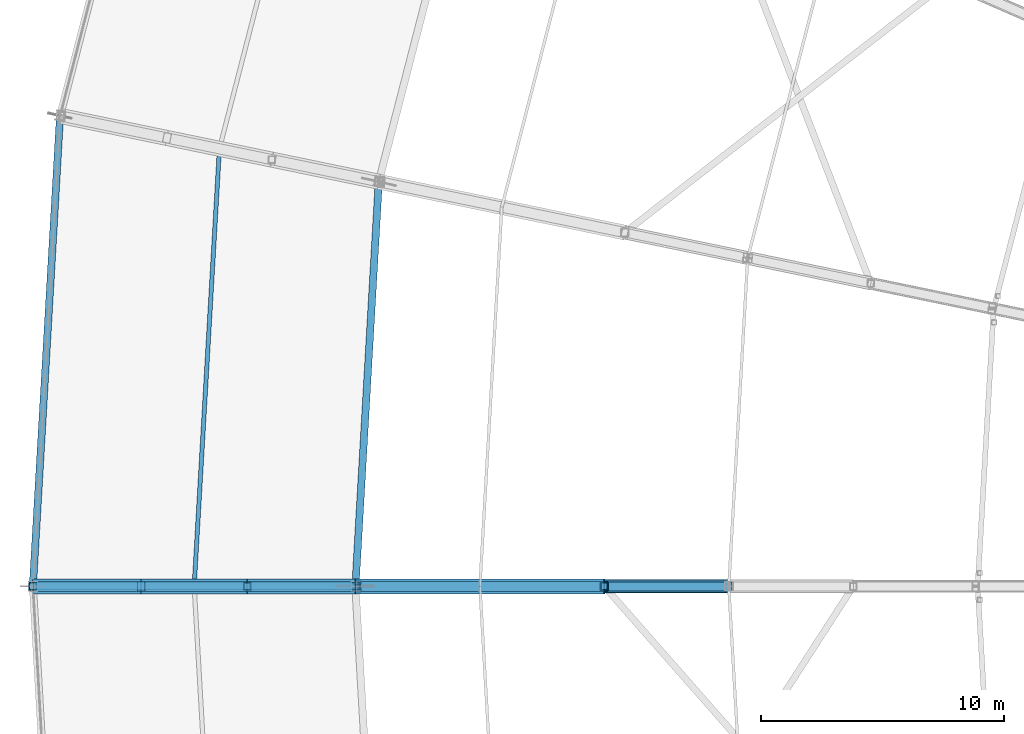
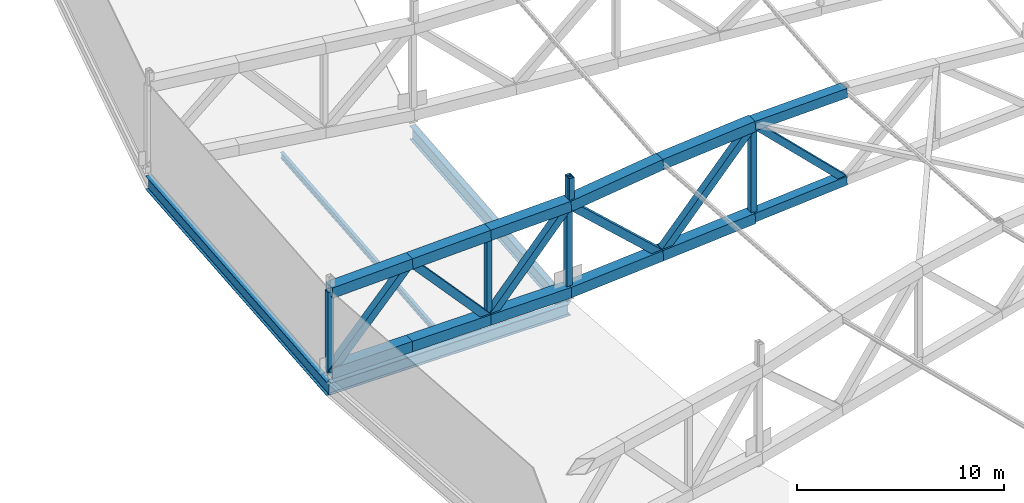
# One storey, part 38 of 162: 24 members, 4 beams.
"""IFC4 building model written with IfcOpenShell, lengths in metres."""

from ifc_helpers import new_model, si_unit, direction, frame, origin, origin_2d, place, context, subcontext, project, spatial, hollow_rectangle, i_section, extrude, material, material_profile, profile_set, type_object, element, save


model = new_model("IFC4")

# Units and contexts
model_context = context("Model", 3, precision=1e-05, world=origin(), true_north=direction((0.0, 1.0)))
body_context = subcontext(model_context, "Body", "Model", "MODEL_VIEW")
ifc_project = project(units=[si_unit("LENGTHUNIT", "METRE"), si_unit("AREAUNIT", "SQUARE_METRE"), si_unit("VOLUMEUNIT", "CUBIC_METRE"), si_unit("PLANEANGLEUNIT", "RADIAN"), si_unit("MASSUNIT", "GRAM", prefix="KILO")], contexts=[model_context])

# Site, building, storey
site_placement = place(None, origin())
site = spatial("IfcSite", under=ifc_project, at=site_placement, CompositionType="ELEMENT")
building_placement = place(site_placement, origin())
building = spatial("IfcBuilding", under=site, at=building_placement, Name="Kazemori Nagisa Stadium", CompositionType="ELEMENT")
storey_placement = place(building_placement, frame((0.0, 0.0, 36.719970703125)))
storey = spatial("IfcBuildingStorey", under=building, at=storey_placement, Name="RF", CompositionType="ELEMENT", Elevation=36.719970703125)

# Beams
ifc_material_1 = material(Name="Steel SN490B", Category="steel")
ifc_material_profile_1 = material_profile(ifc_material_1, i_section(OverallWidth=0.300048828125, OverallDepth=0.699951171875, WebThickness=0.012939453125, FlangeThickness=0.02392578125, FilletRadius=0.01806640625, at=origin_2d()), Name="H-700x300x13x24")
ifc_profile_set_1 = profile_set([ifc_material_profile_1], Name="Steel SN490B")
beam_type_1 = type_object("IfcBeamType", Name="Beam_BG-H700", PredefinedType="BEAM", material=ifc_profile_set_1)
beam_1_placement = place(storey_placement, frame((41.300048828125, 102.0, -0.6298828125), z_axis=(-1.0, 0.0, 0.0), x_axis=(0.0, -1.0, 0.0)))
element("IfcBeam", 1, at=beam_1_placement, inside=storey, type_object=beam_type_1, Name="Radial girder BG-H700 RF R2-R3-15", PredefinedType="BEAM", context=body_context, shape_type="SweptSolid", body=[
    extrude(i_section(OverallWidth=0.300048828125, OverallDepth=0.699951171875, WebThickness=0.012939453125, FlangeThickness=0.02392578125, FilletRadius=0.01806640625, at=origin_2d()), origin(), (0.0, 0.0, 1.0), 13.300048828125),
])
ifc_material_profile_2 = material_profile(ifc_material_1, i_section(OverallWidth=0.300048828125, OverallDepth=0.800048828125, WebThickness=0.013916015625, FlangeThickness=0.02587890625, FilletRadius=0.01806640625, at=origin_2d()), Name="H-800x300x14x26")
ifc_profile_set_2 = profile_set([ifc_material_profile_2], Name="Steel SN490B")
beam_type_2 = type_object("IfcBeamType", Name="Beam_BG-H800", PredefinedType="BEAM", material=ifc_profile_set_2)
beam_2_placement = place(storey_placement, frame((42.262451171875, 118.68212890625, -0.679931640625), z_axis=(-0.057594854854, -0.998340038611, 0.0), x_axis=(0.998340038611, -0.057594854854, 0.0)))
element("IfcBeam", 2, at=beam_2_placement, inside=storey, type_object=beam_type_2, Name="Ring girder BG-H800 RF R2-14", PredefinedType="BEAM", context=body_context, shape_type="SweptSolid", body=[
    extrude(i_section(OverallWidth=0.300048828125, OverallDepth=0.800048828125, WebThickness=0.013916015625, FlangeThickness=0.02587890625, FilletRadius=0.01806640625, at=origin_2d()), origin(), (0.0, 0.0, 1.0), 16.7099609375),
])
beam_3_placement = place(storey_placement, frame((29.119140625, 121.397705078125, -0.679931640625), z_axis=(-0.057598702622, -0.998339816624, 0.0), x_axis=(0.998339816624, -0.057598702622, 0.0)))
element("IfcBeam", 3, at=beam_3_placement, inside=storey, type_object=beam_type_2, Name="Roof compression ring beam BG-H800 R3-14", PredefinedType="BEAM", context=body_context, shape_type="SweptSolid", body=[
    extrude(i_section(OverallWidth=0.300048828125, OverallDepth=0.800048828125, WebThickness=0.013916015625, FlangeThickness=0.02587890625, FilletRadius=0.01806640625, at=origin_2d()), origin(), (0.0, 0.0, 1.0), 19.429931640625),
])
ifc_material_profile_3 = material_profile(ifc_material_1, i_section(OverallWidth=0.175048828125, OverallDepth=0.35009765625, WebThickness=0.007080078125, FlangeThickness=0.010986328125, FilletRadius=0.012939453125, at=origin_2d()), Name="H-350x175x7x11")
ifc_profile_set_3 = profile_set([ifc_material_profile_3], Name="Steel SN490B")
beam_type_3 = type_object("IfcBeamType", Name="Beam_BJ-H350", PredefinedType="JOIST", material=ifc_profile_set_3)
beam_4_placement = place(storey_placement, frame((35.6826171875, 119.89501953125, -0.455078125), z_axis=(-0.057603114818, -0.998339562055, 0.0), x_axis=(0.998339562055, -0.057603114818, 0.0)))
element("IfcBeam", 4, at=beam_4_placement, inside=storey, type_object=beam_type_3, Name="Outer bay joist BJ-H350 RF B14", PredefinedType="JOIST", context=body_context, shape_type="SweptSolid", body=[
    extrude(i_section(OverallWidth=0.175048828125, OverallDepth=0.35009765625, WebThickness=0.007080078125, FlangeThickness=0.010986328125, FilletRadius=0.012939453125, at=origin_2d()), origin(), (0.0, 0.0, 1.0), 17.77978515625),
])

# Members
ifc_material_2 = material(Name="Steel STKR490", Category="steel")
ifc_material_profile_4 = material_profile(ifc_material_2, hollow_rectangle(XDim=0.280029296875, YDim=0.280029296875, WallThickness=0.010009765625, at=origin_2d()), Name="SHS-280x280x10")
ifc_profile_set_4 = profile_set([ifc_material_profile_4], Name="Steel STKR490")
member_type_1 = type_object("IfcMemberType", Name="Member_ST-SHS280", PredefinedType="STUD", material=ifc_profile_set_4)
for number, where, z_axis, x_axis, name in (
    (5, (41.387939453125, 102.081787109375, 5.56005859375), (0.0, 0.0, 1.0), (1.0, 0.0, 0.0), "Canopy bearing stool B14-mid-2"),
    (6, (41.387939453125, 101.918212890625, 5.56005859375), (0.0, 0.0, 1.0), (1.0, 0.0, 0.0), "Canopy bearing stool B15-mid-1"),
):
    element("IfcMember", number, at=place(storey_placement, frame(where, z_axis=z_axis, x_axis=x_axis)), inside=storey, type_object=member_type_1, Name=name, PredefinedType="STUD", context=body_context, shape_type="SweptSolid", body=[
        extrude(hollow_rectangle(XDim=0.280029296875, YDim=0.280029296875, WallThickness=0.010009765625, at=origin_2d()), origin(), (0.0, 0.0, 1.0), 1.5849609375),
    ])
ifc_material_profile_5 = material_profile(ifc_material_2, hollow_rectangle(XDim=0.360107421875, YDim=0.360107421875, WallThickness=0.013916015625, at=origin_2d()), Name="SHS-360x360x14")
ifc_profile_set_5 = profile_set([ifc_material_profile_5], Name="Steel STKR490")
member_type_2 = type_object("IfcMemberType", Name="Member_TB-SHS360", PredefinedType="BRACE", material=ifc_profile_set_5)
member_1_placement = place(storey_placement, frame((51.56005859375, 102.0, 6.679931640625), z_axis=(0.714718689228, 0.0, -0.699412035404), x_axis=(0.0, 1.0, 0.0)))
element("IfcMember", 7, at=member_1_placement, inside=storey, type_object=member_type_2, Name="Roof space truss diagonal RT-15-6", PredefinedType="BRACE", context=body_context, shape_type="SweptSolid", body=[
    extrude(hollow_rectangle(XDim=0.360107421875, YDim=0.360107421875, WallThickness=0.013916015625, at=origin_2d()), origin(), (0.0, 0.0, 1.0), 7.177490234375),
])
ifc_material_profile_6 = material_profile(ifc_material_2, hollow_rectangle(XDim=0.419921875, YDim=0.419921875, WallThickness=0.01611328125, at=origin_2d()), Name="SHS-420x420x16")
ifc_profile_set_6 = profile_set([ifc_material_profile_6], Name="Steel STKR490")
member_type_3 = type_object("IfcMemberType", Name="Member_TB-SHS420", PredefinedType="BRACE", material=ifc_profile_set_6)
member_2_placement = place(storey_placement, frame((28.0, 102.0, 0.360107421875), z_axis=(0.673550363911, 0.0, 0.739141331056), x_axis=(0.0, 1.0, 0.0)))
element("IfcMember", 8, at=member_2_placement, inside=storey, type_object=member_type_3, Name="Roof space truss diagonal RT-15-1", PredefinedType="BRACE", context=body_context, shape_type="SweptSolid", body=[
    extrude(hollow_rectangle(XDim=0.419921875, YDim=0.419921875, WallThickness=0.01611328125, at=origin_2d()), origin(), (0.0, 0.0, 1.0), 6.629150390625),
])
member_3_placement = place(storey_placement, frame((32.465087890625, 102.0, 5.260009765625), z_axis=(0.671661705914, 0.0, -0.740857984237), x_axis=(0.0, 1.0, 0.0)))
element("IfcMember", 9, at=member_3_placement, inside=storey, type_object=member_type_3, Name="Roof space truss diagonal RT-15-2", PredefinedType="BRACE", context=body_context, shape_type="SweptSolid", body=[
    extrude(hollow_rectangle(XDim=0.419921875, YDim=0.419921875, WallThickness=0.01611328125, at=origin_2d()), origin(), (0.0, 0.0, 1.0), 6.506103515625),
])
member_4_placement = place(storey_placement, frame((36.8349609375, 102.0, 0.43994140625), z_axis=(0.657251944198, 0.0, 0.753670937378), x_axis=(0.0, 1.0, 0.0)))
element("IfcMember", 10, at=member_4_placement, inside=storey, type_object=member_type_3, Name="Roof space truss diagonal RT-15-3", PredefinedType="BRACE", context=body_context, shape_type="SweptSolid", body=[
    extrude(hollow_rectangle(XDim=0.419921875, YDim=0.419921875, WallThickness=0.01611328125, at=origin_2d()), origin(), (0.0, 0.0, 1.0), 6.79345703125),
])
member_5_placement = place(storey_placement, frame((41.300048828125, 102.0, 5.56005859375), z_axis=(0.737328907689, 0.0, -0.675533923564), x_axis=(0.0, 1.0, 0.0)))
element("IfcMember", 11, at=member_5_placement, inside=storey, type_object=member_type_3, Name="Roof space truss diagonal RT-15-4", PredefinedType="BRACE", context=body_context, shape_type="SweptSolid", body=[
    extrude(hollow_rectangle(XDim=0.419921875, YDim=0.419921875, WallThickness=0.01611328125, at=origin_2d()), origin(), (0.0, 0.0, 1.0), 6.957275390625),
])
member_6_placement = place(storey_placement, frame((46.429931640625, 102.0, 0.860107421875), z_axis=(0.661258318912, 0.0, 0.750158273746), x_axis=(0.0, 1.0, 0.0)))
element("IfcMember", 12, at=member_6_placement, inside=storey, type_object=member_type_3, Name="Roof space truss diagonal RT-15-5", PredefinedType="BRACE", context=body_context, shape_type="SweptSolid", body=[
    extrude(hollow_rectangle(XDim=0.419921875, YDim=0.419921875, WallThickness=0.01611328125, at=origin_2d()), origin(), (0.0, 0.0, 1.0), 7.758056640625),
])
ifc_material_profile_7 = material_profile(ifc_material_2, hollow_rectangle(XDim=0.52001953125, YDim=0.52001953125, WallThickness=0.01904296875, at=origin_2d()), Name="SHS-520x520x19")
ifc_profile_set_7 = profile_set([ifc_material_profile_7], Name="Steel STKR490")
member_type_4 = type_object("IfcMemberType", Name="Member_TC-SHS520", PredefinedType="CHORD", material=ifc_profile_set_7)
member_7_placement = place(storey_placement, frame((51.56005859375, 102.0, 1.260009765625), z_axis=(0.996975252795, 0.0, 0.077719658485), x_axis=(0.0, 1.0, 0.0)))
element("IfcMember", 13, at=member_7_placement, inside=storey, type_object=member_type_4, Name="Roof space truss bottom chord RT-15-6", PredefinedType="CHORD", context=body_context, shape_type="SweptSolid", body=[
    extrude(hollow_rectangle(XDim=0.52001953125, YDim=0.52001953125, WallThickness=0.01904296875, at=origin_2d()), origin(), (0.0, 0.0, 1.0), 5.1455078125),
])
ifc_material_profile_8 = material_profile(ifc_material_2, hollow_rectangle(XDim=0.56005859375, YDim=0.56005859375, WallThickness=0.02001953125, at=origin_2d()), Name="SHS-560x560x20")
ifc_profile_set_8 = profile_set([ifc_material_profile_8], Name="Steel STKR490")
member_type_5 = type_object("IfcMemberType", Name="Member_TC-SHS560", PredefinedType="CHORD", material=ifc_profile_set_8)
member_8_placement = place(storey_placement, frame((51.56005859375, 102.0, 6.679931640625), z_axis=(0.999571938149, 0.0, 0.029256460211), x_axis=(0.0, 1.0, 0.0)))
element("IfcMember", 14, at=member_8_placement, inside=storey, type_object=member_type_5, Name="Roof space truss top chord RT-15-6", PredefinedType="CHORD", context=body_context, shape_type="SweptSolid", body=[
    extrude(hollow_rectangle(XDim=0.56005859375, YDim=0.56005859375, WallThickness=0.02001953125, at=origin_2d()), origin(), (0.0, 0.0, 1.0), 5.132080078125),
])
ifc_material_profile_9 = material_profile(ifc_material_2, hollow_rectangle(XDim=0.6201171875, YDim=0.6201171875, WallThickness=0.02197265625, at=origin_2d()), Name="SHS-620x620x22")
ifc_profile_set_9 = profile_set([ifc_material_profile_9], Name="Steel STKR490")
member_type_6 = type_object("IfcMemberType", Name="Member_TC-SHS620", PredefinedType="CHORD", material=ifc_profile_set_9)
member_9_placement = place(storey_placement, frame((28.0, 102.0, 5.10009765625), z_axis=(0.999359299373, 0.0, 0.03579093122), x_axis=(0.0, 1.0, 0.0)))
element("IfcMember", 15, at=member_9_placement, inside=storey, type_object=member_type_6, Name="Roof space truss top chord RT-15-1", PredefinedType="CHORD", context=body_context, shape_type="SweptSolid", body=[
    extrude(hollow_rectangle(XDim=0.6201171875, YDim=0.6201171875, WallThickness=0.02197265625, at=origin_2d()), origin(), (0.0, 0.0, 1.0), 4.468017578125),
])
member_10_placement = place(storey_placement, frame((28.0, 102.0, 0.360107421875), z_axis=(0.999959797636, 0.0, 0.008966778217), x_axis=(0.0, 1.0, 0.0)))
element("IfcMember", 16, at=member_10_placement, inside=storey, type_object=member_type_6, Name="Roof space truss bottom chord RT-15-1", PredefinedType="CHORD", context=body_context, shape_type="SweptSolid", body=[
    extrude(hollow_rectangle(XDim=0.6201171875, YDim=0.6201171875, WallThickness=0.02197265625, at=origin_2d()), origin(), (0.0, 0.0, 1.0), 4.46533203125),
])
member_11_placement = place(storey_placement, frame((32.465087890625, 102.0, 5.260009765625), z_axis=(0.99933110315, 0.0, 0.03656974538), x_axis=(0.0, 1.0, 0.0)))
element("IfcMember", 17, at=member_11_placement, inside=storey, type_object=member_type_6, Name="Roof space truss top chord RT-15-2", PredefinedType="CHORD", context=body_context, shape_type="SweptSolid", body=[
    extrude(hollow_rectangle(XDim=0.6201171875, YDim=0.6201171875, WallThickness=0.02197265625, at=origin_2d()), origin(), (0.0, 0.0, 1.0), 4.372802734375),
])
member_12_placement = place(storey_placement, frame((32.465087890625, 102.0, 0.400146484375), z_axis=(0.999958537005, 0.0, 0.009106276414), x_axis=(0.0, 1.0, 0.0)))
element("IfcMember", 18, at=member_12_placement, inside=storey, type_object=member_type_6, Name="Roof space truss bottom chord RT-15-2", PredefinedType="CHORD", context=body_context, shape_type="SweptSolid", body=[
    extrude(hollow_rectangle(XDim=0.6201171875, YDim=0.6201171875, WallThickness=0.02197265625, at=origin_2d()), origin(), (0.0, 0.0, 1.0), 4.3701171875),
])
member_13_placement = place(storey_placement, frame((36.8349609375, 102.0, 5.419921875), z_axis=(0.999507854891, 0.0, 0.031369539543), x_axis=(0.0, 1.0, 0.0)))
element("IfcMember", 19, at=member_13_placement, inside=storey, type_object=member_type_6, Name="Roof space truss top chord RT-15-3", PredefinedType="CHORD", context=body_context, shape_type="SweptSolid", body=[
    extrude(hollow_rectangle(XDim=0.6201171875, YDim=0.6201171875, WallThickness=0.02197265625, at=origin_2d()), origin(), (0.0, 0.0, 1.0), 4.46728515625),
])
member_14_placement = place(storey_placement, frame((36.8349609375, 102.0, 0.43994140625), z_axis=(0.999959797636, 0.0, 0.008966778217), x_axis=(0.0, 1.0, 0.0)))
element("IfcMember", 20, at=member_14_placement, inside=storey, type_object=member_type_6, Name="Roof space truss bottom chord RT-15-3", PredefinedType="CHORD", context=body_context, shape_type="SweptSolid", body=[
    extrude(hollow_rectangle(XDim=0.6201171875, YDim=0.6201171875, WallThickness=0.02197265625, at=origin_2d()), origin(), (0.0, 0.0, 1.0), 4.46533203125),
])
member_15_placement = place(storey_placement, frame((41.300048828125, 102.0, 5.56005859375), z_axis=(0.991580400109, 0.0, 0.129492509894), x_axis=(0.0, 1.0, 0.0)))
element("IfcMember", 21, at=member_15_placement, inside=storey, type_object=member_type_6, Name="Roof space truss top chord RT-15-4", PredefinedType="CHORD", context=body_context, shape_type="SweptSolid", body=[
    extrude(hollow_rectangle(XDim=0.6201171875, YDim=0.6201171875, WallThickness=0.02197265625, at=origin_2d()), origin(), (0.0, 0.0, 1.0), 5.17333984375),
])
member_16_placement = place(storey_placement, frame((41.300048828125, 102.0, 0.47998046875), z_axis=(0.997265811613, 0.0, 0.073897909227), x_axis=(0.0, 1.0, 0.0)))
element("IfcMember", 22, at=member_16_placement, inside=storey, type_object=member_type_6, Name="Roof space truss bottom chord RT-15-4", PredefinedType="CHORD", context=body_context, shape_type="SweptSolid", body=[
    extrude(hollow_rectangle(XDim=0.6201171875, YDim=0.6201171875, WallThickness=0.02197265625, at=origin_2d()), origin(), (0.0, 0.0, 1.0), 5.14404296875),
])
member_17_placement = place(storey_placement, frame((46.429931640625, 102.0, 6.22998046875), z_axis=(0.996175737484, 0.0, 0.087372192651), x_axis=(0.0, 1.0, 0.0)))
element("IfcMember", 23, at=member_17_placement, inside=storey, type_object=member_type_6, Name="Roof space truss top chord RT-15-5", PredefinedType="CHORD", context=body_context, shape_type="SweptSolid", body=[
    extrude(hollow_rectangle(XDim=0.6201171875, YDim=0.6201171875, WallThickness=0.02197265625, at=origin_2d()), origin(), (0.0, 0.0, 1.0), 5.14990234375),
])
member_18_placement = place(storey_placement, frame((46.429931640625, 102.0, 0.860107421875), z_axis=(0.996975539376, 0.0, 0.077715982178), x_axis=(0.0, 1.0, 0.0)))
element("IfcMember", 24, at=member_18_placement, inside=storey, type_object=member_type_6, Name="Roof space truss bottom chord RT-15-5", PredefinedType="CHORD", context=body_context, shape_type="SweptSolid", body=[
    extrude(hollow_rectangle(XDim=0.6201171875, YDim=0.6201171875, WallThickness=0.02197265625, at=origin_2d()), origin(), (0.0, 0.0, 1.0), 5.145751953125),
])
ifc_material_profile_10 = material_profile(ifc_material_2, hollow_rectangle(XDim=0.280029296875, YDim=0.280029296875, WallThickness=0.010009765625, at=origin_2d()), Name="SHS-280x280x10")
ifc_profile_set_10 = profile_set([ifc_material_profile_10], Name="Steel STKR490")
member_type_7 = type_object("IfcMemberType", Name="Member_TS-SHS280", PredefinedType="STRUT", material=ifc_profile_set_10)
member_19_placement = place(storey_placement, frame((36.8349609375, 102.0, 0.43994140625), z_axis=(0.0, 0.0, 1.0), x_axis=(1.0, 0.0, 0.0)))
element("IfcMember", 25, at=member_19_placement, inside=storey, type_object=member_type_7, Name="Roof space truss strut RT-15-3", PredefinedType="STRUT", context=body_context, shape_type="SweptSolid", body=[
    extrude(hollow_rectangle(XDim=0.280029296875, YDim=0.280029296875, WallThickness=0.010009765625, at=origin_2d()), origin(), (0.0, 0.0, 1.0), 4.97998046875),
])
ifc_material_profile_11 = material_profile(ifc_material_2, hollow_rectangle(XDim=0.320068359375, YDim=0.320068359375, WallThickness=0.011962890625, at=origin_2d()), Name="SHS-320x320x12")
ifc_profile_set_11 = profile_set([ifc_material_profile_11], Name="Steel STKR490")
member_type_8 = type_object("IfcMemberType", Name="Member_TS-SHS320", PredefinedType="STRUT", material=ifc_profile_set_11)
member_20_placement = place(storey_placement, frame((28.0, 102.0, 0.360107421875), z_axis=(0.0, 0.0, 1.0), x_axis=(1.0, 0.0, 0.0)))
element("IfcMember", 26, at=member_20_placement, inside=storey, type_object=member_type_8, Name="Roof space truss strut RT-15-1", PredefinedType="STRUT", context=body_context, shape_type="SweptSolid", body=[
    extrude(hollow_rectangle(XDim=0.320068359375, YDim=0.320068359375, WallThickness=0.011962890625, at=origin_2d()), origin(), (0.0, 0.0, 1.0), 4.739990234375),
])
member_21_placement = place(storey_placement, frame((41.300048828125, 102.0, 0.47998046875), z_axis=(0.0, 0.0, 1.0), x_axis=(1.0, 0.0, 0.0)))
element("IfcMember", 27, at=member_21_placement, inside=storey, type_object=member_type_8, Name="Roof space truss strut RT-15-4", PredefinedType="STRUT", context=body_context, shape_type="SweptSolid", body=[
    extrude(hollow_rectangle(XDim=0.320068359375, YDim=0.320068359375, WallThickness=0.011962890625, at=origin_2d()), origin(), (0.0, 0.0, 1.0), 5.080078125),
])
member_22_placement = place(storey_placement, frame((51.56005859375, 102.0, 1.260009765625), z_axis=(0.0, 0.0, 1.0), x_axis=(1.0, 0.0, 0.0)))
element("IfcMember", 28, at=member_22_placement, inside=storey, type_object=member_type_8, Name="Roof space truss strut RT-15-6", PredefinedType="STRUT", context=body_context, shape_type="SweptSolid", body=[
    extrude(hollow_rectangle(XDim=0.320068359375, YDim=0.320068359375, WallThickness=0.011962890625, at=origin_2d()), origin(), (0.0, 0.0, 1.0), 5.419921875),
])

save(model, "model.ifc")
